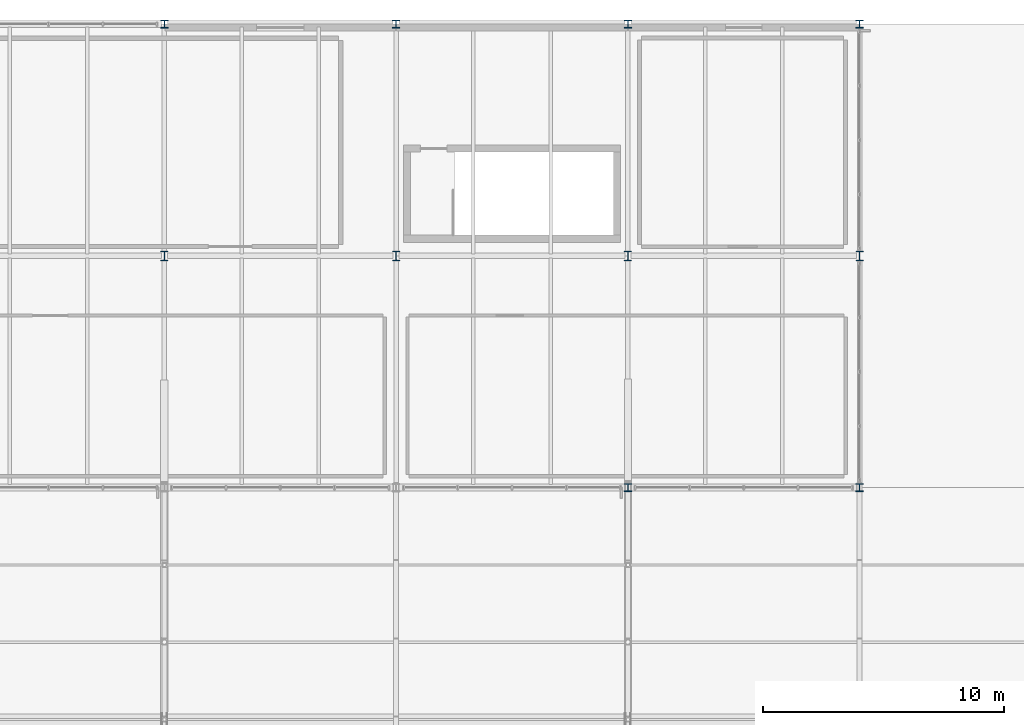
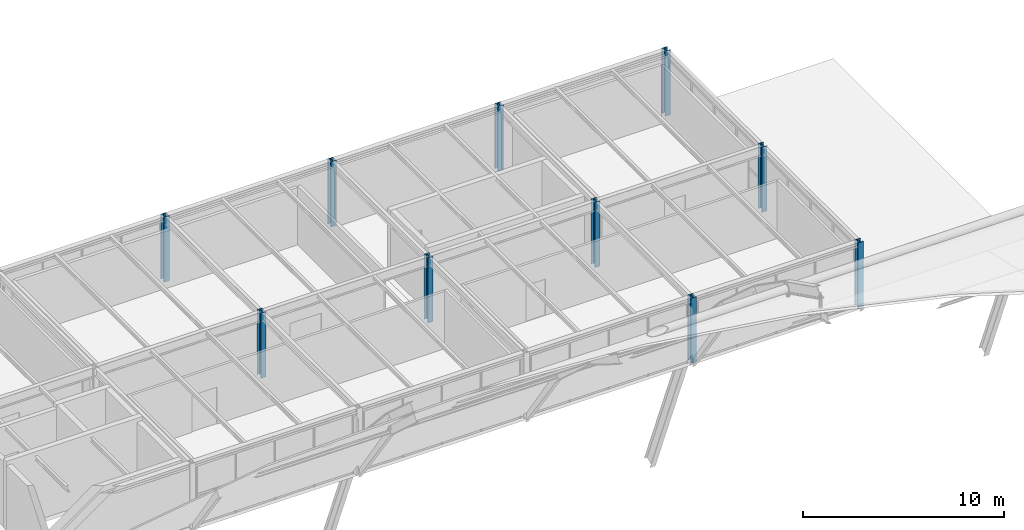
# One storey, part 6 of 126: 10 columns.
"""IFC4 building model written with IfcOpenShell, lengths in metres."""

from ifc_helpers import new_model, si_unit, direction, frame, origin, origin_2d, place, context, subcontext, project, spatial, i_section, extrude, material, material_profile, profile_set, type_object, element, save


model = new_model("IFC4")

# Units and contexts
model_context = context("Model", 3, precision=1e-05, world=origin(), true_north=direction((0.0, 1.0)))
body_context = subcontext(model_context, "Body", "Model", "MODEL_VIEW")
ifc_project = project(units=[si_unit("LENGTHUNIT", "METRE"), si_unit("AREAUNIT", "SQUARE_METRE"), si_unit("VOLUMEUNIT", "CUBIC_METRE"), si_unit("PLANEANGLEUNIT", "RADIAN"), si_unit("MASSUNIT", "GRAM", prefix="KILO")], contexts=[model_context])

# Site, building, storey
site_placement = place(None, origin())
site = spatial("IfcSite", under=ifc_project, at=site_placement, CompositionType="ELEMENT")
building_placement = place(site_placement, origin())
building = spatial("IfcBuilding", under=site, at=building_placement, Name="Coralgate Yard Interchange", CompositionType="ELEMENT")
storey_placement = place(building_placement, frame((0.0, 0.0, 10.5)))
storey = spatial("IfcBuildingStorey", under=building, at=storey_placement, Name="L02", CompositionType="ELEMENT", Elevation=10.5)

# Columns
ifc_material = material(Name="Structural steel S355J2", Category="steel")
ifc_material_profile_1 = material_profile(ifc_material, i_section(OverallWidth=0.300048828125, OverallDepth=0.39990234375, WebThickness=0.013427734375, FlangeThickness=0.02392578125, FilletRadius=0.027099609375, at=origin_2d()), Name="HEB 400")
ifc_profile_set_1 = profile_set([ifc_material_profile_1], Name="Structural steel S355J2")
column_type_1 = type_object("IfcColumnType", Name="COL-SC-11", PredefinedType="COLUMN", material=ifc_profile_set_1)
for number, where, z_axis, x_axis, name in (
    (1, (67.199951171875, 86.39990234375, 0.0), (0.0, 0.0, 1.0), (1.0, 0.0, 0.0), "L02 structural column 7-9"),
    (2, (76.800048828125, 86.39990234375, 0.0), (0.0, 0.0, 1.0), (1.0, 0.0, 0.0), "L02 structural column 8-9"),
    (3, (86.39990234375, 86.39990234375, 0.0), (0.0, 0.0, 1.0), (1.0, 0.0, 0.0), "L02 structural column 9-9"),
    (4, (96.0, 86.39990234375, 0.0), (0.0, 0.0, 1.0), (1.0, 0.0, 0.0), "L02 structural column 10-9"),
):
    element("IfcColumn", number, at=place(storey_placement, frame(where, z_axis=z_axis, x_axis=x_axis)), inside=storey, type_object=column_type_1, Name=name, PredefinedType="COLUMN", context=body_context, shape_type="SweptSolid", body=[
        extrude(i_section(OverallWidth=0.300048828125, OverallDepth=0.39990234375, WebThickness=0.013427734375, FlangeThickness=0.02392578125, FilletRadius=0.027099609375, at=origin_2d()), origin(), (0.0, 0.0, 1.0), 3.949951171875),
    ])
ifc_material_profile_2 = material_profile(ifc_material, i_section(OverallWidth=0.314453125, OverallDepth=0.33984375, WebThickness=0.01904296875, FlangeThickness=0.031494140625, FilletRadius=0.01513671875, at=origin_2d()), Name="UC 305x305x198")
ifc_profile_set_2 = profile_set([ifc_material_profile_2], Name="Structural steel S355J2")
column_type_2 = type_object("IfcColumnType", Name="COL-SC-4", PredefinedType="COLUMN", material=ifc_profile_set_2)
for number, where, z_axis, x_axis, name in (
    (5, (67.199951171875, 96.0, 0.0), (0.0, 0.0, 1.0), (1.0, 0.0, 0.0), "L02 structural column 7-10"),
    (6, (76.800048828125, 96.0, 0.0), (0.0, 0.0, 1.0), (1.0, 0.0, 0.0), "L02 structural column 8-10"),
    (7, (86.39990234375, 76.800048828125, 0.0), (0.0, 0.0, 1.0), (1.0, 0.0, 0.0), "L02 structural column 9-8"),
    (8, (86.39990234375, 96.0, 0.0), (0.0, 0.0, 1.0), (1.0, 0.0, 0.0), "L02 structural column 9-10"),
    (9, (96.0, 76.800048828125, 0.0), (0.0, 0.0, 1.0), (1.0, 0.0, 0.0), "L02 structural column 10-8"),
    (10, (96.0, 96.0, 0.0), (0.0, 0.0, 1.0), (1.0, 0.0, 0.0), "L02 structural column 10-10"),
):
    element("IfcColumn", number, at=place(storey_placement, frame(where, z_axis=z_axis, x_axis=x_axis)), inside=storey, type_object=column_type_2, Name=name, PredefinedType="COLUMN", context=body_context, shape_type="SweptSolid", body=[
        extrude(i_section(OverallWidth=0.314453125, OverallDepth=0.33984375, WebThickness=0.01904296875, FlangeThickness=0.031494140625, FilletRadius=0.01513671875, at=origin_2d()), origin(), (0.0, 0.0, 1.0), 3.949951171875),
    ])

save(model, "model.ifc")
